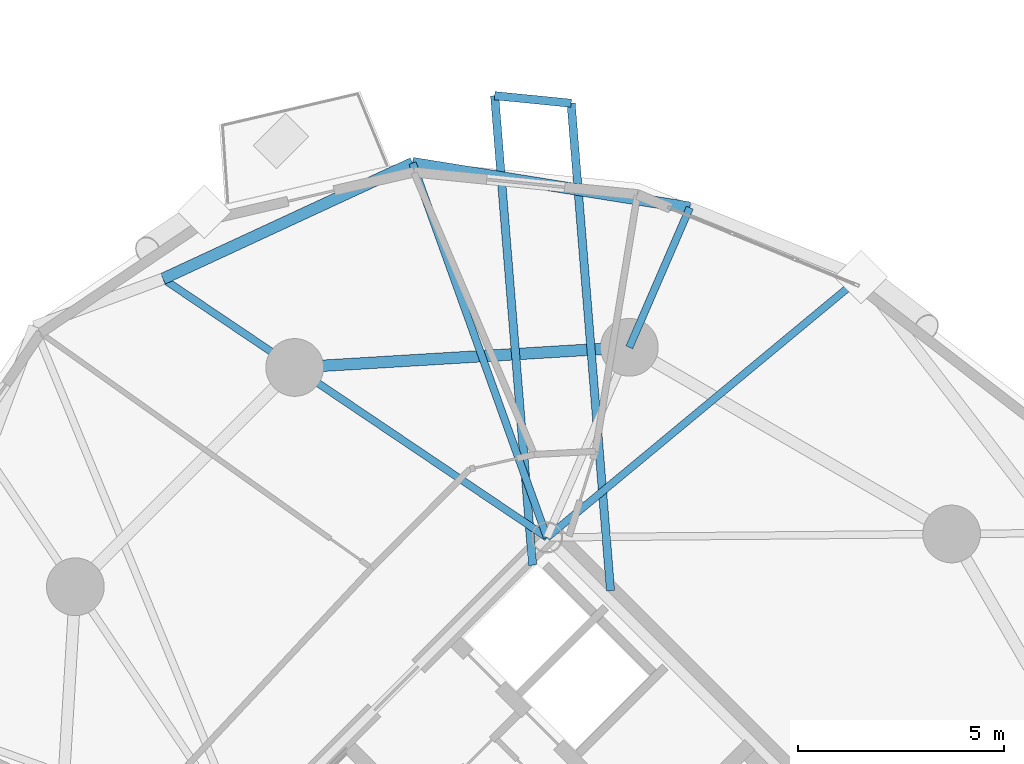
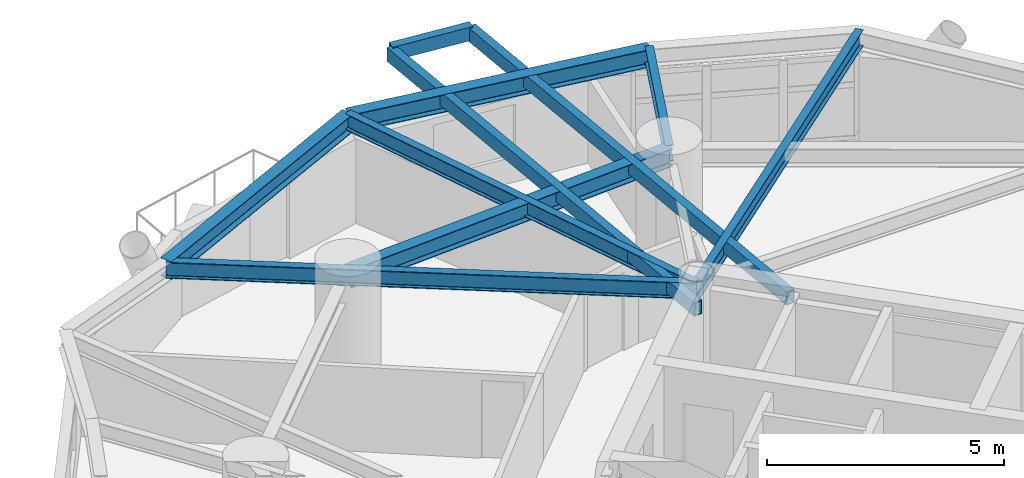
# One storey, part 6 of 18: 10 beams.
"""IFC4 building model written with IfcOpenShell, lengths in metres."""

from ifc_helpers import new_model, si_unit, direction, frame, origin, origin_2d, place, context, subcontext, project, spatial, hollow_rectangle, i_section, extrude, material, material_profile, profile_set, type_object, element, save


model = new_model("IFC4")

# Units and contexts
model_context = context("Model", 3, precision=1e-05, world=origin(), true_north=direction((0.0, 1.0)))
body_context = subcontext(model_context, "Body", "Model", "MODEL_VIEW")
ifc_project = project(units=[si_unit("LENGTHUNIT", "METRE"), si_unit("AREAUNIT", "SQUARE_METRE"), si_unit("VOLUMEUNIT", "CUBIC_METRE"), si_unit("PLANEANGLEUNIT", "RADIAN"), si_unit("MASSUNIT", "GRAM", prefix="KILO")], contexts=[model_context])

# Site, building, storey
site_placement = place(None, origin())
site = spatial("IfcSite", under=ifc_project, at=site_placement, CompositionType="ELEMENT")
building_placement = place(site_placement, origin())
building = spatial("IfcBuilding", under=site, at=building_placement, Name="Cununo Teusaquillo Station Towers", CompositionType="ELEMENT")
storey_placement = place(building_placement, frame((0.0, 0.0, 119.6201171875)))
storey = spatial("IfcBuildingStorey", under=building, at=storey_placement, Name="L38", CompositionType="ELEMENT", Elevation=119.6201171875)

# Beams
ifc_material_1 = material(Name="Steel EN 10025-2 S355J2", Category="steel")
ifc_material_profile_1 = material_profile(ifc_material_1, hollow_rectangle(XDim=0.199951171875, YDim=0.35009765625, WallThickness=0.013916015625, at=origin_2d()), Name="RHS 350x200x14")
ifc_profile_set_1 = profile_set([ifc_material_profile_1], Name="Steel EN 10025-2 S355J2")
beam_type_1 = type_object("IfcBeamType", Name="BM-BAL-CANT", PredefinedType="BEAM", material=ifc_profile_set_1)
beam_1_placement = place(storey_placement, frame((57.835205078125, 31.73095703125, 2.494873046875), z_axis=(-0.080635166538, 0.996743683159, 0.0), x_axis=(-0.996743683159, -0.080635166538, 0.0)))
element("IfcBeam", 1, at=beam_1_placement, inside=storey, type_object=beam_type_1, Name="L38 Tower B Balcony Cantilever Bracket 1A", PredefinedType="BEAM", context=body_context, shape_type="SweptSolid", body=[
    extrude(hollow_rectangle(XDim=0.199951171875, YDim=0.35009765625, WallThickness=0.013916015625, at=origin_2d()), origin(), (0.0, 0.0, 1.0), 11.862548828125),
])
beam_2_placement = place(storey_placement, frame((55.945068359375, 32.349609375, 2.494873046875), z_axis=(-0.080615645749, 0.996745262171, 0.0), x_axis=(-0.996745262171, -0.080615645749, 0.0)))
element("IfcBeam", 2, at=beam_2_placement, inside=storey, type_object=beam_type_1, Name="L38 Tower B Balcony Cantilever Bracket 1B", PredefinedType="BEAM", context=body_context, shape_type="SweptSolid", body=[
    extrude(hollow_rectangle(XDim=0.199951171875, YDim=0.35009765625, WallThickness=0.013916015625, at=origin_2d()), origin(), (0.0, 0.0, 1.0), 11.42626953125),
])
ifc_material_2 = material(Name="Steel ASTM A572 Grade 50", Category="steel")
ifc_material_profile_2 = material_profile(ifc_material_2, i_section(OverallWidth=0.180908203125, OverallDepth=0.4169921875, WebThickness=0.010986328125, FlangeThickness=0.018310546875, FilletRadius=0.012939453125, at=origin_2d()), Name="W16X57")
ifc_profile_set_2 = profile_set([ifc_material_profile_2], Name="Steel ASTM A572 Grade 50")
beam_type_2 = type_object("IfcBeamType", Name="BM-JOIST-1", PredefinedType="JOIST", material=ifc_profile_set_2)
beam_3_placement = place(storey_placement, frame((56.29443359375, 33.024169921875, 2.46142578125), z_axis=(0.769727799615, 0.638372238196, 0.0), x_axis=(-0.638372238196, 0.769727799615, 0.0)))
element("IfcBeam", 3, at=beam_3_placement, inside=storey, type_object=beam_type_2, Name="L38 Tower B Radial Spandrel Joist V01", PredefinedType="JOIST", context=body_context, shape_type="SweptSolid", body=[
    extrude(i_section(OverallWidth=0.180908203125, OverallDepth=0.4169921875, WebThickness=0.010986328125, FlangeThickness=0.018310546875, FilletRadius=0.012939453125, at=origin_2d()), origin(), (0.0, 0.0, 1.0), 9.895263671875),
])
beam_4_placement = place(storey_placement, frame((56.29443359375, 33.024169921875, 2.46142578125), z_axis=(-0.338176312038, 0.941082771055, 0.0), x_axis=(-0.941082771055, -0.338176312038, 0.0)))
element("IfcBeam", 4, at=beam_4_placement, inside=storey, type_object=beam_type_2, Name="L38 Tower B Radial Spandrel Joist V03", PredefinedType="JOIST", context=body_context, shape_type="SweptSolid", body=[
    extrude(i_section(OverallWidth=0.180908203125, OverallDepth=0.4169921875, WebThickness=0.010986328125, FlangeThickness=0.018310546875, FilletRadius=0.012939453125, at=origin_2d()), origin(), (0.0, 0.0, 1.0), 9.646484375),
])
ifc_material_3 = material(Name="Steel ASTM A572 Grade 50", Category="steel")
ifc_material_profile_3 = material_profile(ifc_material_3, i_section(OverallWidth=0.180908203125, OverallDepth=0.4169921875, WebThickness=0.010986328125, FlangeThickness=0.018310546875, FilletRadius=0.012939453125, at=origin_2d()), Name="W16X57")
ifc_profile_set_3 = profile_set([ifc_material_profile_3], Name="Steel ASTM A572 Grade 50")
beam_type_3 = type_object("IfcBeamType", Name="BM-RAD-G2", PredefinedType="BEAM", material=ifc_profile_set_3)
beam_5_placement = place(storey_placement, frame((58.291015625, 37.63525390625, 2.46142578125), z_axis=(0.397421761279, 0.917636062751, 0.0), x_axis=(-0.917636062751, 0.397421761279, 0.0)))
element("IfcBeam", 5, at=beam_5_placement, inside=storey, type_object=beam_type_3, Name="L38 Tower B Perimeter Overhang Girder 02B", PredefinedType="BEAM", context=body_context, shape_type="SweptSolid", body=[
    extrude(i_section(OverallWidth=0.180908203125, OverallDepth=0.4169921875, WebThickness=0.010986328125, FlangeThickness=0.018310546875, FilletRadius=0.012939453125, at=origin_2d()), origin(), (0.0, 0.0, 1.0), 3.690185546875),
])
beam_6_placement = place(storey_placement, frame((56.29443359375, 33.024169921875, 2.46142578125), z_axis=(-0.82945583878, 0.558572297481, 0.0), x_axis=(-0.558572297481, -0.82945583878, 0.0)))
element("IfcBeam", 6, at=beam_6_placement, inside=storey, type_object=beam_type_3, Name="L38 Tower B Continuous Overhanging Radial Girder 03", PredefinedType="BEAM", context=body_context, shape_type="SweptSolid", body=[
    extrude(i_section(OverallWidth=0.180908203125, OverallDepth=0.4169921875, WebThickness=0.010986328125, FlangeThickness=0.018310546875, FilletRadius=0.012939453125, at=origin_2d()), origin(), (0.0, 0.0, 1.0), 11.22998046875),
])
ifc_material_4 = material(Name="Steel ASTM A572 Grade 50", Category="steel")
ifc_material_profile_4 = material_profile(ifc_material_4, i_section(OverallWidth=0.280029296875, OverallDepth=0.462890625, WebThickness=0.0107421875, FlangeThickness=0.017333984375, FilletRadius=0.013916015625, at=origin_2d()), Name="W18X76")
ifc_profile_set_4 = profile_set([ifc_material_profile_4], Name="Steel ASTM A572 Grade 50")
beam_type_4 = type_object("IfcBeamType", Name="BM-RING-Z2", PredefinedType="SPANDREL", material=ifc_profile_set_4)
beam_7_placement = place(storey_placement, frame((58.291015625, 37.63525390625, 2.4384765625), z_axis=(-0.998190567048, -0.06012979176, 0.0), x_axis=(0.06012979176, -0.998190567048, 0.0)))
element("IfcBeam", 7, at=beam_7_placement, inside=storey, type_object=beam_type_4, Name="L38 Tower B Structural Column Ring Girder 02", PredefinedType="SPANDREL", context=body_context, shape_type="SweptSolid", body=[
    extrude(i_section(OverallWidth=0.280029296875, OverallDepth=0.462890625, WebThickness=0.0107421875, FlangeThickness=0.017333984375, FilletRadius=0.013916015625, at=origin_2d()), origin(), (0.0, 0.0, 1.0), 8.132568359375),
])
beam_8_placement = place(storey_placement, frame((59.757568359375, 41.021484375, 2.4384765625), z_axis=(-0.987331474246, 0.158671232312, 0.0), x_axis=(-0.158671232312, -0.987331474246, 0.0)))
element("IfcBeam", 8, at=beam_8_placement, inside=storey, type_object=beam_type_4, Name="L38 Tower B Spandrel Ring Beam 03", PredefinedType="SPANDREL", context=body_context, shape_type="SweptSolid", body=[
    extrude(i_section(OverallWidth=0.280029296875, OverallDepth=0.462890625, WebThickness=0.0107421875, FlangeThickness=0.017333984375, FilletRadius=0.013916015625, at=origin_2d()), origin(), (0.0, 0.0, 1.0), 6.8115234375),
])
beam_9_placement = place(storey_placement, frame((53.0322265625, 42.102294921875, 2.4384765625), z_axis=(-0.907275870354, -0.420535961689, 0.0), x_axis=(0.420535961689, -0.907275870354, 0.0)))
element("IfcBeam", 9, at=beam_9_placement, inside=storey, type_object=beam_type_4, Name="L38 Tower B Spandrel Ring Beam 04", PredefinedType="SPANDREL", context=body_context, shape_type="SweptSolid", body=[
    extrude(i_section(OverallWidth=0.280029296875, OverallDepth=0.462890625, WebThickness=0.0107421875, FlangeThickness=0.017333984375, FilletRadius=0.013916015625, at=origin_2d()), origin(), (0.0, 0.0, 1.0), 6.671142578125),
])
ifc_material_5 = material(Name="Steel EN 10025-2 S355J2", Category="steel")
ifc_material_profile_5 = material_profile(ifc_material_5, hollow_rectangle(XDim=0.199951171875, YDim=0.35009765625, WallThickness=0.013916015625, at=origin_2d()), Name="RHS 350x200x14")
ifc_profile_set_5 = profile_set([ifc_material_profile_5], Name="Steel EN 10025-2 S355J2")
beam_type_5 = type_object("IfcBeamType", Name="BM-STAIR-TRIM", PredefinedType="BEAM", material=ifc_profile_set_5)
beam_10_placement = place(storey_placement, frame((56.878662109375, 43.554931640625, 2.52490234375), z_axis=(-0.995123704518, 0.098634743912, 0.0), x_axis=(-0.098634743912, -0.995123704518, 0.0)))
element("IfcBeam", 10, at=beam_10_placement, inside=storey, type_object=beam_type_5, Name="L38 Tower B Balcony Edge Trimmer Beam 1", PredefinedType="BEAM", context=body_context, shape_type="SweptSolid", body=[
    extrude(hollow_rectangle(XDim=0.199951171875, YDim=0.35009765625, WallThickness=0.013916015625, at=origin_2d()), origin(), (0.0, 0.0, 1.0), 1.86376953125),
])

save(model, "model.ifc")
